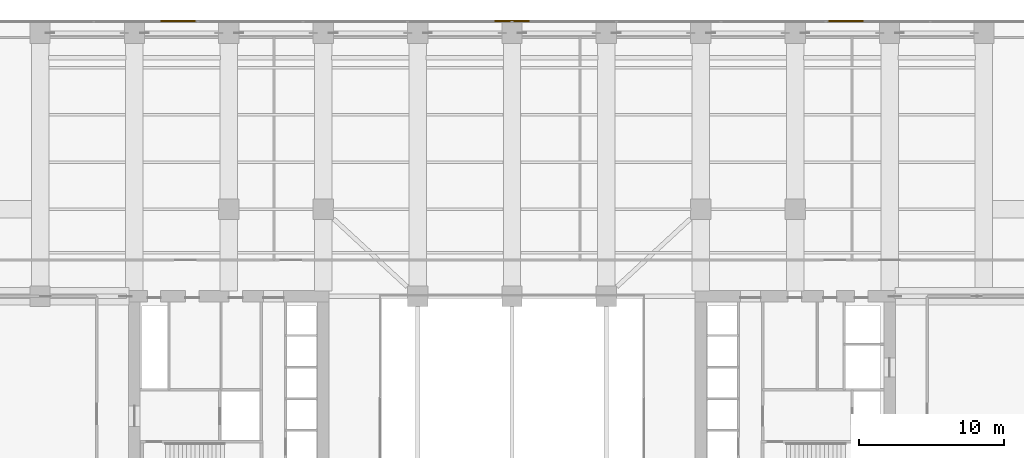
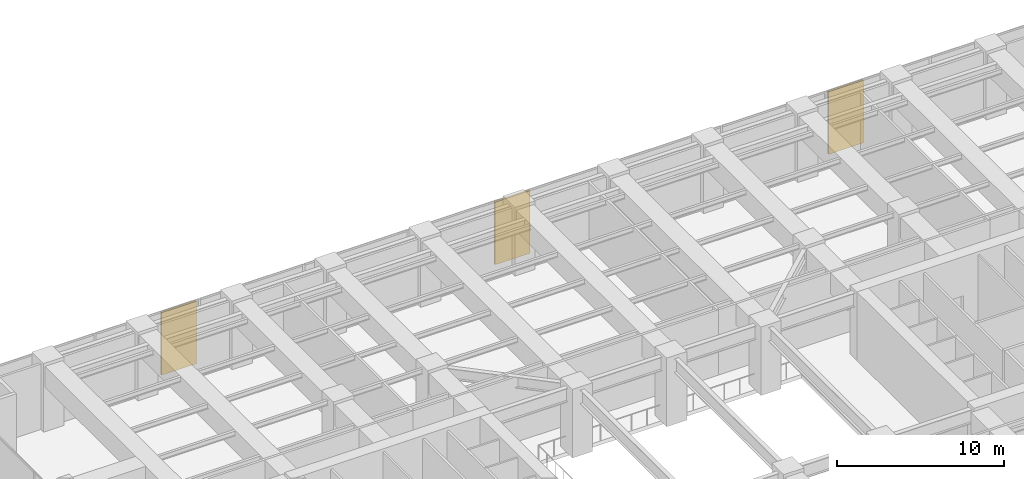
# One storey, part 31 of 31: 3 shading devices.
"""IFC4 building model written with IfcOpenShell, lengths in metres."""

import ifcopenshell
import ifcopenshell.guid

model = None  # the IFC model being written
_history = None  # IfcOwnerHistory: only IFC2X3 demands one
_inside = {}  # id of a spatial element -> (the spatial element, [elements in it])
_under = {}  # id of a project, library or spatial element -> (it, [spatial elements below it])
_declared = {}  # id of a project -> (the project, [libraries it declares])
_typed = {}  # id of a type object -> (the type object, [elements of that type])
_made_of = {}  # id of a material, layer set ... -> (it, [elements and type objects made of it])


def new_model(schema):
    """Start an empty IFC model of exactly this schema.

    Asked for "IFC4X3", IfcOpenShell would pick the latest addendum, in which some entities
    have other attributes; the version numbers below select the first issue.
    IFC2X3 requires an IfcOwnerHistory on every rooted entity: one is made here for all.
    """
    global model, _history
    if schema == "IFC4X3":
        model = ifcopenshell.file(schema_version=(4, 3, 0, 0))
    else:
        model = ifcopenshell.file(schema=schema)
    _inside.clear()
    _under.clear()
    _declared.clear()
    _typed.clear()
    _made_of.clear()
    _history = None
    if model.schema == "IFC2X3":
        org = make("IfcOrganization", Name="unknown")
        user = make(
            "IfcPersonAndOrganization",
            ThePerson=make("IfcPerson", FamilyName="unknown"),
            TheOrganization=org,
        )
        app = make(
            "IfcApplication",
            ApplicationDeveloper=org,
            Version="unknown",
            ApplicationFullName="unknown",
            ApplicationIdentifier="unknown",
        )
        _history = make(
            "IfcOwnerHistory",
            OwningUser=user,
            OwningApplication=app,
            ChangeAction="ADDED",
            CreationDate=0,
        )
    return model


def make(cls, **values):
    """One entity of the class cls with the attributes given. An attribute that is None is left unset."""
    return model.create_entity(
        cls, **{name: value for name, value in values.items() if value is not None}
    )


def rooted(cls, **values):
    """An entity with a GlobalId (a new one), such as an element, a storey or a relation."""
    return make(cls, GlobalId=ifcopenshell.guid.new(), OwnerHistory=_history, **values)


def si_unit(unit_type, name, prefix=None):
    """IfcSIUnit, for example si_unit("LENGTHUNIT", "METRE", prefix="MILLI")."""
    return make("IfcSIUnit", UnitType=unit_type, Prefix=prefix, Name=name)


def assignment(units):
    """IfcUnitAssignment: the units of a project."""
    return None if units is None else make("IfcUnitAssignment", Units=units)


def point(xyz):
    """IfcCartesianPoint."""
    return None if xyz is None else make("IfcCartesianPoint", Coordinates=xyz)


def direction(xyz):
    """IfcDirection."""
    return None if xyz is None else make("IfcDirection", DirectionRatios=xyz)


def frame(location, z_axis=None, x_axis=None):
    """IfcAxis2Placement3D, a coordinate frame: its origin and axes. An axis left out is left unset."""
    return make(
        "IfcAxis2Placement3D",
        Location=point(location),
        Axis=direction(z_axis),
        RefDirection=direction(x_axis),
    )


def frame_2d(location, x_axis=None):
    """IfcAxis2Placement2D, a coordinate frame in the plane: its origin and x axis."""
    return make(
        "IfcAxis2Placement2D", Location=point(location), RefDirection=direction(x_axis)
    )


def origin():
    """The frame at (0, 0, 0) with its axes left unset."""
    return frame((0.0, 0.0, 0.0))


def origin_2d():
    """The frame at (0, 0) in the plane with its x axis left unset."""
    return frame_2d((0.0, 0.0))


def place(relative_to, where):
    """IfcLocalPlacement: puts the frame where relative to a parent placement (None: the world)."""
    return make(
        "IfcLocalPlacement", PlacementRelTo=relative_to, RelativePlacement=where
    )


def context(
    kind, dimensions, precision=None, world=None, true_north=None, identifier=None
):
    """IfcGeometricRepresentationContext, for example the 3D "Model" context."""
    return make(
        "IfcGeometricRepresentationContext",
        ContextIdentifier=identifier,
        ContextType=kind,
        CoordinateSpaceDimension=dimensions,
        Precision=precision,
        WorldCoordinateSystem=world,
        TrueNorth=true_north,
    )


def subcontext(parent, identifier, kind, view, scale=None):
    """IfcGeometricRepresentationSubContext, for example "Body" below "Model"."""
    return make(
        "IfcGeometricRepresentationSubContext",
        ContextIdentifier=identifier,
        ContextType=kind,
        ParentContext=parent,
        TargetScale=scale,
        TargetView=view,
    )


def project(units=None, contexts=None):
    """IfcProject with its units and contexts."""
    return rooted(
        "IfcProject",
        Name="project",
        RepresentationContexts=contexts,
        UnitsInContext=assignment(units),
    )


def spatial(cls, under=None, at=None, **own):
    """A site, building, storey or space (cls), placed at a placement, below another one or the project."""
    s = rooted(cls, ObjectPlacement=at, **own)
    if under is not None:
        _under.setdefault(under.id(), (under, []))[1].append(s)
    return s


def profile(cls, at=None, kind="AREA", **sizes):
    """A parametric profile (cls). Its sizes go by their IFC names, for example OverallWidth=200.0."""
    return make(cls, ProfileType=kind, Position=at, **sizes)


def rectangle(**sizes):
    """IfcRectangleProfileDef."""
    return profile("IfcRectangleProfileDef", **sizes)


def extrude(swept, where, along, depth):
    """IfcExtrudedAreaSolid: the profile swept, set in the frame where, extruded along a direction by depth."""
    return make(
        "IfcExtrudedAreaSolid",
        SweptArea=swept,
        Position=where,
        ExtrudedDirection=direction(along),
        Depth=depth,
    )


def shape(context_of_items, identifier, shape_type, items):
    """IfcShapeRepresentation: the items that make up one representation, for example the "Body"."""
    return make(
        "IfcShapeRepresentation",
        ContextOfItems=context_of_items,
        RepresentationIdentifier=identifier,
        RepresentationType=shape_type,
        Items=items,
    )


def material(Name=None, Category=None):
    """IfcMaterial."""
    return make("IfcMaterial", Name=Name, Category=Category)


def layer(
    of_material, thickness, ventilated=None, Name=None, Category=None, Priority=None
):
    """IfcMaterialLayer: one layer of a wall or slab, of a material (None: an air gap)."""
    return make(
        "IfcMaterialLayer",
        Material=of_material,
        LayerThickness=thickness,
        IsVentilated=ventilated,
        Name=Name,
        Category=Category,
        Priority=Priority,
    )


def layer_set(layers, Name=None):
    """IfcMaterialLayerSet."""
    return make("IfcMaterialLayerSet", MaterialLayers=layers, LayerSetName=Name)


def made_of(thing, what):
    """Note that an element or type object is made of a material, layer set ...; save() writes the relation."""
    if what is not None:
        _made_of.setdefault(what.id(), (what, []))[1].append(thing)
    return thing


def type_object(cls, material=None, **own):
    """A type object (cls), such as IfcWallType, which elements share."""
    return made_of(rooted(cls, **own), material)


def element(
    cls,
    number,
    at=None,
    inside=None,
    cuts=None,
    type_object=None,
    material=None,
    context=None,
    identifier="Body",
    shape_type=None,
    held_by="IfcProductDefinitionShape",
    body=None,
    shapes=None,
    **own,
):
    """One element of the class cls, such as IfcWall. Its Tag is "e" and its number.

    at: its placement. inside: the storey or other place that contains it. cuts: it is an
    opening in that element (IfcRelVoidsElement). A single representation is given by context,
    identifier, shape_type and body (its items); several are given by shapes. held_by: the class
    of the entity that holds the representations. save() writes the other relations.
    """
    e = rooted(cls, Tag="e%d" % number, ObjectPlacement=at, **own)
    if body is not None:
        shapes = [shape(context, identifier, shape_type, body)]
    if shapes is not None:
        e.Representation = make(held_by, Representations=shapes)
    if inside is not None:
        _inside.setdefault(inside.id(), (inside, []))[1].append(e)
    if cuts is not None:
        rooted(
            "IfcRelVoidsElement", RelatingBuildingElement=cuts, RelatedOpeningElement=e
        )
    if type_object is not None:
        _typed.setdefault(type_object.id(), (type_object, []))[1].append(e)
    return made_of(e, material)


def aggregate(whole, parts):
    """IfcRelAggregates: a whole, such as a stair, and the parts it consists of."""
    return rooted("IfcRelAggregates", RelatingObject=whole, RelatedObjects=parts)


def save(model, path):
    """Write the relations noted so far, then the file.

    IfcRelAggregates (storeys below a building ...), IfcRelContainedInSpatialStructure (elements
    in a storey), IfcRelDefinesByType, IfcRelAssociatesMaterial and IfcRelDeclares: one each for
    every whole, place, type object, material and project.
    """
    for whole, parts in _under.values():
        aggregate(whole, parts)
    for where, things in _inside.values():
        rooted(
            "IfcRelContainedInSpatialStructure",
            RelatedElements=things,
            RelatingStructure=where,
        )
    for kind, things in _typed.values():
        rooted("IfcRelDefinesByType", RelatedObjects=things, RelatingType=kind)
    for what, things in _made_of.values():
        rooted("IfcRelAssociatesMaterial", RelatedObjects=things, RelatingMaterial=what)
    for by, libraries in _declared.values():
        rooted("IfcRelDeclares", RelatingContext=by, RelatedDefinitions=libraries)
    model.write(path)


model = new_model("IFC4")

# Units and contexts
model_context = context("Model", 3, precision=1e-05, world=origin(), true_north=direction((0.0, 1.0)))
body_context = subcontext(model_context, "Body", "Model", "MODEL_VIEW")
ifc_project = project(units=[si_unit("LENGTHUNIT", "METRE"), si_unit("AREAUNIT", "SQUARE_METRE"), si_unit("VOLUMEUNIT", "CUBIC_METRE"), si_unit("PLANEANGLEUNIT", "RADIAN"), si_unit("MASSUNIT", "GRAM", prefix="KILO")], contexts=[model_context])

# Site, building, storey
site_placement = place(None, origin())
site = spatial("IfcSite", under=ifc_project, at=site_placement, CompositionType="ELEMENT")
building_placement = place(site_placement, origin())
building = spatial("IfcBuilding", under=site, at=building_placement, Name="Putna Gate Headquarters", CompositionType="ELEMENT")
storey_placement = place(building_placement, frame((0.0, 0.0, 81.0)))
storey = spatial("IfcBuildingStorey", under=building, at=storey_placement, Name="L19", CompositionType="ELEMENT", Elevation=81.0)

# Shading devices
ifc_material = material(Name="Anodised bronze acoustic weather louvre", Category="aluminium")
ifc_layer = layer(ifc_material, 0.1201171875)
ifc_layer_set = layer_set([ifc_layer], Name="Anodised bronze acoustic weather louvre")
shading_device_type = type_object("IfcShadingDeviceType", Name="SHADE-PLANT-LOUVRE", PredefinedType="JALOUSIE", material=ifc_layer_set)
for number, where, z_axis, x_axis, name in (
    (1, (16.0, 51.969970703125, 0.10009765625), (0.0, 0.0, 1.0), (1.0, 0.0, 0.0), "L19 Bronze Acoustic Louvre N1"),
    (2, (39.0, 51.969970703125, 0.10009765625), (0.0, 0.0, 1.0), (1.0, 0.0, 0.0), "L19 Bronze Acoustic Louvre N2"),
    (3, (62.0, 51.969970703125, 0.10009765625), (0.0, 0.0, 1.0), (1.0, 0.0, 0.0), "L19 Bronze Acoustic Louvre N3"),
):
    element("IfcShadingDevice", number, at=place(storey_placement, frame(where, z_axis=z_axis, x_axis=x_axis)), inside=storey, type_object=shading_device_type, Name=name, PredefinedType="JALOUSIE", context=body_context, shape_type="SweptSolid", body=[
        extrude(rectangle(XDim=2.39990234375, YDim=0.1201171875, at=origin_2d()), origin(), (0.0, 0.0, 1.0), 4.56494140625),
    ])

save(model, "model.ifc")
